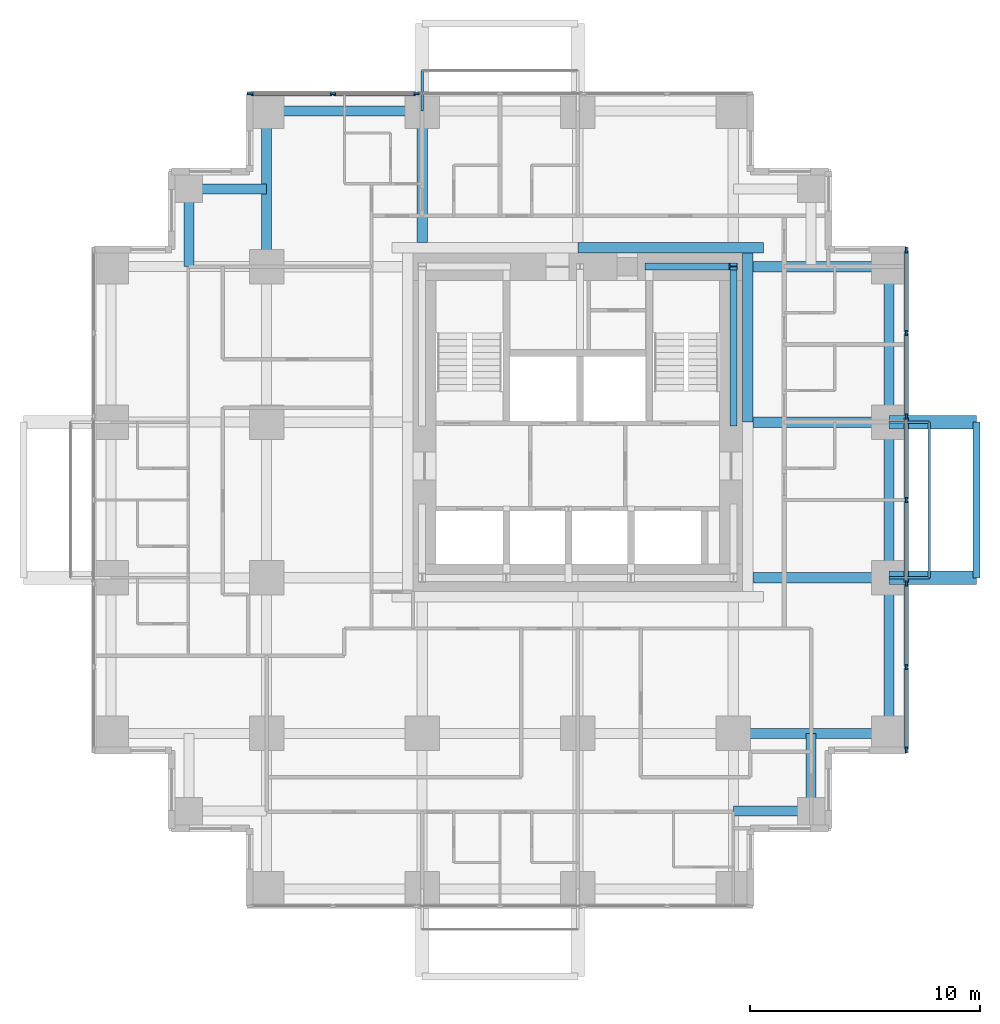
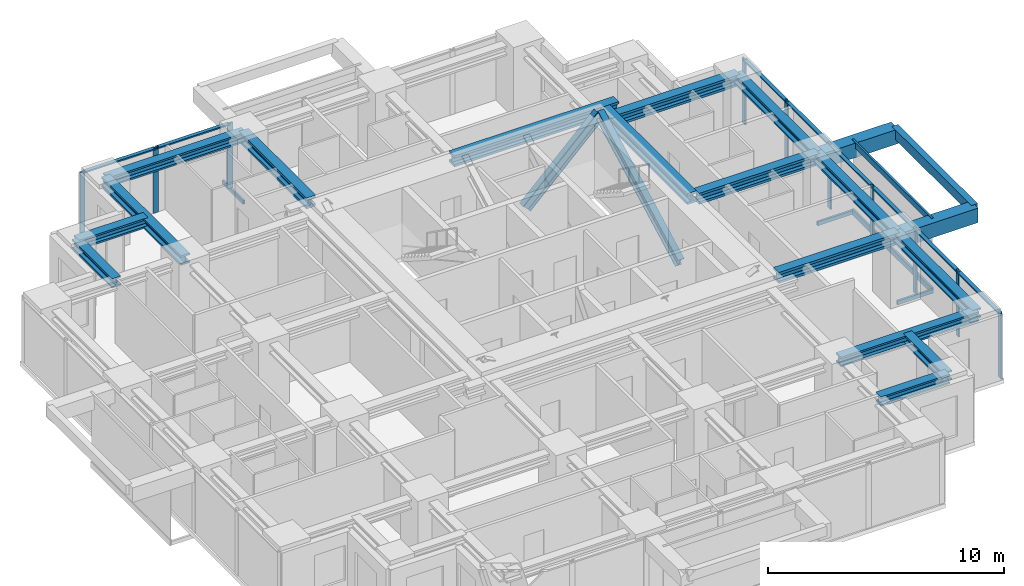
# One storey, part 3 of 10: 25 members, 19 beams, 2 elements without a shape of their own.
"""IFC4 building model written with IfcOpenShell, lengths in metres."""

from ifc_helpers import new_model, si_unit, direction, frame, origin, origin_2d, place, context, subcontext, project, spatial, rectangle, hollow_rectangle, i_section, extrude, material, material_profile, profile_set, type_object, element, aggregate, save


model = new_model("IFC4")

# Units and contexts
model_context = context("Model", 3, precision=1e-05, world=origin(), true_north=direction((0.0, 1.0)))
body_context = subcontext(model_context, "Body", "Model", "MODEL_VIEW")
ifc_project = project(units=[si_unit("LENGTHUNIT", "METRE"), si_unit("AREAUNIT", "SQUARE_METRE"), si_unit("VOLUMEUNIT", "CUBIC_METRE"), si_unit("PLANEANGLEUNIT", "RADIAN"), si_unit("MASSUNIT", "GRAM", prefix="KILO")], contexts=[model_context])

# Site, building, storey
site_placement = place(None, origin())
site = spatial("IfcSite", under=ifc_project, at=site_placement, CompositionType="ELEMENT")
building_placement = place(site_placement, origin())
building = spatial("IfcBuilding", under=site, at=building_placement, Name="Nyansa Garden Tower", CompositionType="ELEMENT")
storey_placement = place(building_placement, frame((0.0, 0.0, 167.39990234375)))
storey = spatial("IfcBuildingStorey", under=building, at=storey_placement, Name="L45", CompositionType="ELEMENT", Elevation=167.39990234375)

# Beams
ifc_material_1 = material(Name="Concrete C70/85", Category="concrete")
ifc_material_profile_1 = material_profile(ifc_material_1, rectangle(XDim=0.60009765625, YDim=0.75, at=origin_2d()), Name="RC 600x750")
ifc_profile_set_1 = profile_set([ifc_material_profile_1], Name="Concrete C70/85")
beam_type_1 = type_object("IfcBeamType", Name="Balcony cantilever beam CB1 RC 600x750", PredefinedType="BEAM", material=ifc_profile_set_1)
for number, where, z_axis, x_axis, name in (
    (1, (33.75, 13.5, 2.985107421875), (1.0, 0.0, 0.0), (0.0, 1.0, 0.0), "Balcony cantilever beam L46"),
    (2, (33.75, 20.25, 2.985107421875), (1.0, 0.0, 0.0), (0.0, 1.0, 0.0), "Balcony cantilever beam L46"),
):
    element("IfcBeam", number, at=place(storey_placement, frame(where, z_axis=z_axis, x_axis=x_axis)), inside=storey, type_object=beam_type_1, Name=name, PredefinedType="BEAM", context=body_context, shape_type="SweptSolid", body=[
        extrude(rectangle(XDim=0.60009765625, YDim=0.75, at=origin_2d()), origin(), (0.0, 0.0, 1.0), 3.800048828125),
    ])
ifc_material_2 = material(Name="Concrete C70/85", Category="concrete")
ifc_material_profile_2 = material_profile(ifc_material_2, rectangle(XDim=0.300048828125, YDim=0.5, at=origin_2d()), Name="RC 300x500")
ifc_profile_set_2 = profile_set([ifc_material_profile_2], Name="Concrete C70/85")
beam_type_2 = type_object("IfcBeamType", Name="Balcony edge beam BE1 RC 300x500", PredefinedType="BEAM", material=ifc_profile_set_2)
beam_1_placement = place(storey_placement, frame((37.550048828125, 13.5, 3.110107421875), z_axis=(0.0, 1.0, 0.0), x_axis=(-1.0, 0.0, 0.0)))
element("IfcBeam", 3, at=beam_1_placement, inside=storey, type_object=beam_type_2, Name="Balcony edge beam L46", PredefinedType="BEAM", context=body_context, shape_type="SweptSolid", body=[
    extrude(rectangle(XDim=0.300048828125, YDim=0.5, at=origin_2d()), origin(), (0.0, 0.0, 1.0), 6.75),
])

# Curtain wall, members
ifc_material_3 = material(Name="Black anodised aluminium, dark tinted double glazing", Category="aluminium")
curtain_wall_type = type_object("IfcCurtainWallType", Name="Inner skin curtain wall ISW-C", PredefinedType="USERDEFINED", material=ifc_material_3)
curtain_wall_1_placement = place(storey_placement, origin())
curtain_wall_1 = element("IfcCurtainWall", 4, at=curtain_wall_1_placement, inside=storey, type_object=curtain_wall_type, Name="Inner skin curtain wall L45 E", ObjectType="UNITISED CURTAIN WALL", PredefinedType="USERDEFINED")
ifc_material_4 = material(Name="Black anodised aluminium", Category="aluminium")
ifc_material_profile_3 = material_profile(ifc_material_4, rectangle(XDim=0.070068359375, YDim=0.25, at=origin_2d()), Name="Mullion 250x70")
ifc_profile_set_3 = profile_set([ifc_material_profile_3], Name="Black anodised aluminium")
member_type_1 = type_object("IfcMemberType", Name="Mullion ISW-C 250x70", PredefinedType="MULLION", material=ifc_profile_set_3)
member_1_placement = place(storey_placement, frame((34.5, 6.034912109375, 0.0), z_axis=(0.0, 0.0, 1.0), x_axis=(-1.0, 0.0, 0.0)))
member_1 = element("IfcMember", 5, at=member_1_placement, type_object=member_type_1, Name="ISW-C mullion 1", PredefinedType="MULLION", context=body_context, shape_type="SweptSolid", body=[
    extrude(rectangle(XDim=0.070068359375, YDim=0.25, at=origin_2d()), origin(), (0.0, 0.0, 1.0), 3.375),
])
member_2_placement = place(storey_placement, frame((34.5, 9.625, 0.0), z_axis=(0.0, 0.0, 1.0), x_axis=(-1.0, 0.0, 0.0)))
member_2 = element("IfcMember", 6, at=member_2_placement, type_object=member_type_1, Name="ISW-C mullion 2", PredefinedType="MULLION", context=body_context, shape_type="SweptSolid", body=[
    extrude(rectangle(XDim=0.070068359375, YDim=0.25, at=origin_2d()), origin(), (0.0, 0.0, 1.0), 3.375),
])
member_3_placement = place(storey_placement, frame((34.5, 13.25, 0.0), z_axis=(0.0, 0.0, 1.0), x_axis=(-1.0, 0.0, 0.0)))
member_3 = element("IfcMember", 7, at=member_3_placement, type_object=member_type_1, Name="ISW-C mullion 3", PredefinedType="MULLION", context=body_context, shape_type="SweptSolid", body=[
    extrude(rectangle(XDim=0.070068359375, YDim=0.25, at=origin_2d()), origin(), (0.0, 0.0, 1.0), 3.375),
])
member_4_placement = place(storey_placement, frame((34.5, 16.875, 0.0), z_axis=(0.0, 0.0, 1.0), x_axis=(-1.0, 0.0, 0.0)))
member_4 = element("IfcMember", 8, at=member_4_placement, type_object=member_type_1, Name="ISW-C mullion 4", PredefinedType="MULLION", context=body_context, shape_type="SweptSolid", body=[
    extrude(rectangle(XDim=0.070068359375, YDim=0.25, at=origin_2d()), origin(), (0.0, 0.0, 1.0), 3.375),
])
member_5_placement = place(storey_placement, frame((34.5, 20.5, 0.0), z_axis=(0.0, 0.0, 1.0), x_axis=(-1.0, 0.0, 0.0)))
member_5 = element("IfcMember", 9, at=member_5_placement, type_object=member_type_1, Name="ISW-C mullion 5", PredefinedType="MULLION", context=body_context, shape_type="SweptSolid", body=[
    extrude(rectangle(XDim=0.070068359375, YDim=0.25, at=origin_2d()), origin(), (0.0, 0.0, 1.0), 3.375),
])
member_6_placement = place(storey_placement, frame((34.5, 24.125, 0.0), z_axis=(0.0, 0.0, 1.0), x_axis=(-1.0, 0.0, 0.0)))
member_6 = element("IfcMember", 10, at=member_6_placement, type_object=member_type_1, Name="ISW-C mullion 6", PredefinedType="MULLION", context=body_context, shape_type="SweptSolid", body=[
    extrude(rectangle(XDim=0.070068359375, YDim=0.25, at=origin_2d()), origin(), (0.0, 0.0, 1.0), 3.375),
])
member_7_placement = place(storey_placement, frame((34.5, 27.715087890625, 0.0), z_axis=(0.0, 0.0, 1.0), x_axis=(-1.0, 0.0, 0.0)))
member_7 = element("IfcMember", 11, at=member_7_placement, type_object=member_type_1, Name="ISW-C mullion 7", PredefinedType="MULLION", context=body_context, shape_type="SweptSolid", body=[
    extrude(rectangle(XDim=0.070068359375, YDim=0.25, at=origin_2d()), origin(), (0.0, 0.0, 1.0), 3.375),
])

curtain_wall_2_placement = place(storey_placement, origin())
curtain_wall_2 = element("IfcCurtainWall", 12, at=curtain_wall_2_placement, inside=storey, type_object=curtain_wall_type, Name="Inner skin curtain wall L45 N", ObjectType="UNITISED CURTAIN WALL", PredefinedType="USERDEFINED")
member_8_placement = place(storey_placement, frame((13.25, 34.5, 0.0), z_axis=(0.0, 0.0, 1.0), x_axis=(0.0, -1.0, 0.0)))
member_8 = element("IfcMember", 13, at=member_8_placement, type_object=member_type_1, Name="ISW-C mullion 5", PredefinedType="MULLION", context=body_context, shape_type="SweptSolid", body=[
    extrude(rectangle(XDim=0.070068359375, YDim=0.25, at=origin_2d()), origin(), (0.0, 0.0, 1.0), 3.375),
])
member_9_placement = place(storey_placement, frame((9.625, 34.5, 0.0), z_axis=(0.0, 0.0, 1.0), x_axis=(0.0, -1.0, 0.0)))
member_9 = element("IfcMember", 14, at=member_9_placement, type_object=member_type_1, Name="ISW-C mullion 6", PredefinedType="MULLION", context=body_context, shape_type="SweptSolid", body=[
    extrude(rectangle(XDim=0.070068359375, YDim=0.25, at=origin_2d()), origin(), (0.0, 0.0, 1.0), 3.375),
])
member_10_placement = place(storey_placement, frame((6.034912109375, 34.5, 0.0), z_axis=(0.0, 0.0, 1.0), x_axis=(0.0, -1.0, 0.0)))
member_10 = element("IfcMember", 15, at=member_10_placement, type_object=member_type_1, Name="ISW-C mullion 7", PredefinedType="MULLION", context=body_context, shape_type="SweptSolid", body=[
    extrude(rectangle(XDim=0.070068359375, YDim=0.25, at=origin_2d()), origin(), (0.0, 0.0, 1.0), 3.375),
])

# Members
ifc_material_5 = material(Name="Steel S355, black powder coated", Category="steel")
ifc_material_profile_4 = material_profile(ifc_material_5, hollow_rectangle(XDim=0.10009765625, YDim=0.199951171875, WallThickness=0.008056640625, at=origin_2d()), Name="RHS 200x100x8")
ifc_profile_set_4 = profile_set([ifc_material_profile_4], Name="Steel S355, black powder coated")
member_type_2 = type_object("IfcMemberType", Name="Outer skin bracket arm RHS 200x100x8", PredefinedType="USERDEFINED", material=ifc_profile_set_4)
for number, where, z_axis, x_axis, name in (
    (16, (33.75, 13.5, -0.375), (1.0, 0.0, 0.0), (0.0, 1.0, 0.0), "Outer skin bracket arm"),
    (17, (33.75, 20.25, -0.375), (1.0, 0.0, 0.0), (0.0, 1.0, 0.0), "Outer skin bracket arm"),
    (18, (13.5, 33.75, -0.375), (0.0, 1.0, 0.0), (-1.0, 0.0, 0.0), "Outer skin bracket arm"),
):
    element("IfcMember", number, at=place(storey_placement, frame(where, z_axis=z_axis, x_axis=x_axis)), inside=storey, type_object=member_type_2, Name=name, ObjectType="OUTER SKIN BRACKET", PredefinedType="USERDEFINED", context=body_context, shape_type="SweptSolid", body=[
        extrude(hollow_rectangle(XDim=0.10009765625, YDim=0.199951171875, WallThickness=0.008056640625, at=origin_2d()), origin(), (0.0, 0.0, 1.0), 1.75),
    ])
ifc_material_6 = material(Name="Steel S355, black powder coated", Category="steel")
ifc_material_profile_5 = material_profile(ifc_material_6, hollow_rectangle(XDim=0.10009765625, YDim=0.300048828125, WallThickness=0.010009765625, at=origin_2d()), Name="RHS 300x100x10")
ifc_profile_set_5 = profile_set([ifc_material_profile_5], Name="Steel S355, black powder coated")
member_type_3 = type_object("IfcMemberType", Name="Outer skin rail RHS 300x100x10", PredefinedType="USERDEFINED", material=ifc_profile_set_5)
for number, where, z_axis, x_axis, name in (
    (19, (35.5, 13.5, -0.375), (0.0, 1.0, 0.0), (-1.0, 0.0, 0.0), "Outer skin rail L45"),
    (20, (35.5, 13.5, 3.22509765625), (0.0, 1.0, 0.0), (-1.0, 0.0, 0.0), "Outer skin rail L45 head"),
):
    element("IfcMember", number, at=place(storey_placement, frame(where, z_axis=z_axis, x_axis=x_axis)), inside=storey, type_object=member_type_3, Name=name, ObjectType="OUTER SKIN RAIL", PredefinedType="USERDEFINED", context=body_context, shape_type="SweptSolid", body=[
        extrude(hollow_rectangle(XDim=0.10009765625, YDim=0.300048828125, WallThickness=0.010009765625, at=origin_2d()), origin(), (0.0, 0.0, 1.0), 6.75),
    ])
ifc_material_7 = material(Name="Steel S355", Category="steel")
ifc_material_profile_6 = material_profile(ifc_material_7, i_section(OverallWidth=0.305908203125, OverallDepth=0.52392578125, WebThickness=0.02099609375, FlangeThickness=0.0400390625, FilletRadius=0.027099609375, at=origin_2d()), Name="HE 500 M")
ifc_profile_set_6 = profile_set([ifc_material_profile_6], Name="Steel S355")
member_type_4 = type_object("IfcMemberType", Name="Perimeter brace HE 500 M", PredefinedType="BRACE", material=ifc_profile_set_6)
member_11_placement = place(storey_placement, frame((23.35009765625, 27.0, 0.0), z_axis=(0.711947531702, 0.0, 0.702232662373), x_axis=(0.0, 1.0, 0.0)))
element("IfcMember", 21, at=member_11_placement, inside=storey, type_object=member_type_4, Name="Core brace CN4 L45", PredefinedType="BRACE", context=body_context, shape_type="SweptSolid", body=[
    extrude(i_section(OverallWidth=0.305908203125, OverallDepth=0.52392578125, WebThickness=0.02099609375, FlangeThickness=0.0400390625, FilletRadius=0.027099609375, at=origin_2d()), origin(), (0.0, 0.0, 1.0), 5.126708984375),
])
member_12_placement = place(storey_placement, frame((27.0, 20.199951171875, 0.0), z_axis=(0.0, 0.883784057226, 0.467895009796), x_axis=(-1.0, 0.0, 0.0)))
element("IfcMember", 22, at=member_12_placement, inside=storey, type_object=member_type_4, Name="Core brace CE8 L45", PredefinedType="BRACE", context=body_context, shape_type="SweptSolid", body=[
    extrude(i_section(OverallWidth=0.305908203125, OverallDepth=0.52392578125, WebThickness=0.02099609375, FlangeThickness=0.0400390625, FilletRadius=0.027099609375, at=origin_2d()), origin(), (0.0, 0.0, 1.0), 7.6943359375),
])

# Beams
ifc_material_8 = material(Name="Steel S355", Category="steel")
ifc_material_profile_7 = material_profile(ifc_material_8, i_section(OverallWidth=0.431884765625, OverallDepth=0.498046875, WebThickness=0.0556640625, FlangeThickness=0.0888671875, FilletRadius=0.014892578125, at=origin_2d()), Name="HD 400x744")
ifc_profile_set_7 = profile_set([ifc_material_profile_7], Name="Steel S355")
beam_type_3 = type_object("IfcBeamType", Name="Steel beam SBC1-744 HD 400x744", PredefinedType="BEAM", material=ifc_profile_set_7)
for number, where, z_axis, x_axis, name in (
    (23, (6.75, 27.0, 3.1259765625), (0.0, 1.0, 0.0), (-1.0, 0.0, 0.0), "Steel beam 3/H-3/J L46"),
    (24, (27.0, 6.75, 3.1259765625), (1.0, 0.0, 0.0), (0.0, 1.0, 0.0), "Steel beam 6/E-7/E L46"),
):
    element("IfcBeam", number, at=place(storey_placement, frame(where, z_axis=z_axis, x_axis=x_axis)), inside=storey, type_object=beam_type_3, Name=name, PredefinedType="BEAM", context=body_context, shape_type="SweptSolid", body=[
        extrude(i_section(OverallWidth=0.431884765625, OverallDepth=0.498046875, WebThickness=0.0556640625, FlangeThickness=0.0888671875, FilletRadius=0.014892578125, at=origin_2d()), origin(), (0.0, 0.0, 1.0), 6.75),
    ])
ifc_material_9 = material(Name="Steel S355", Category="steel")
ifc_material_profile_8 = material_profile(ifc_material_9, i_section(OverallWidth=0.4541015625, OverallDepth=0.569091796875, WebThickness=0.077880859375, FlangeThickness=0.125, FilletRadius=0.014892578125, at=origin_2d()), Name="HD 400x1086")
ifc_profile_set_8 = profile_set([ifc_material_profile_8], Name="Steel S355")
beam_type_4 = type_object("IfcBeamType", Name="Steel beam SCL-1086 HD 400x1086", PredefinedType="BEAM", material=ifc_profile_set_8)
beam_2_placement = place(storey_placement, frame((13.5, 28.050048828125, 3.090576171875), z_axis=(0.0, 1.0, 0.0), x_axis=(-1.0, 0.0, 0.0)))
element("IfcBeam", 25, at=beam_2_placement, inside=storey, type_object=beam_type_4, Name="Steel beam 4/28.050-4/J L46", PredefinedType="BEAM", context=body_context, shape_type="SweptSolid", body=[
    extrude(i_section(OverallWidth=0.4541015625, OverallDepth=0.569091796875, WebThickness=0.077880859375, FlangeThickness=0.125, FilletRadius=0.014892578125, at=origin_2d()), origin(), (0.0, 0.0, 1.0), 5.699951171875),
])
for number, where, z_axis, x_axis, name in (
    (26, (27.85009765625, 13.5, 3.090576171875), (1.0, 0.0, 0.0), (0.0, 1.0, 0.0), "Steel beam 27.850/F-7/F L46"),
    (27, (27.85009765625, 20.25, 3.090576171875), (1.0, 0.0, 0.0), (0.0, 1.0, 0.0), "Steel beam 27.850/G-7/G L46"),
    (28, (27.85009765625, 27.0, 3.090576171875), (1.0, 0.0, 0.0), (0.0, 1.0, 0.0), "Steel beam 27.850/H-7/H L46"),
):
    element("IfcBeam", number, at=place(storey_placement, frame(where, z_axis=z_axis, x_axis=x_axis)), inside=storey, type_object=beam_type_4, Name=name, PredefinedType="BEAM", context=body_context, shape_type="SweptSolid", body=[
        extrude(i_section(OverallWidth=0.4541015625, OverallDepth=0.569091796875, WebThickness=0.077880859375, FlangeThickness=0.125, FilletRadius=0.014892578125, at=origin_2d()), origin(), (0.0, 0.0, 1.0), 5.89990234375),
    ])
beam_3_placement = place(storey_placement, frame((27.626953125, 20.25, 3.090576171875), z_axis=(0.0, 1.0, 0.0), x_axis=(-1.0, 0.0, 0.0)))
element("IfcBeam", 29, at=beam_3_placement, inside=storey, type_object=beam_type_4, Name="Steel core ledger beam E.2 L46", PredefinedType="BEAM", context=body_context, shape_type="SweptSolid", body=[
    extrude(i_section(OverallWidth=0.4541015625, OverallDepth=0.569091796875, WebThickness=0.077880859375, FlangeThickness=0.125, FilletRadius=0.014892578125, at=origin_2d()), origin(), (0.0, 0.0, 1.0), 7.35009765625),
])
beam_4_placement = place(storey_placement, frame((28.300048828125, 27.826904296875, 3.090576171875), z_axis=(-1.0, 0.0, 0.0), x_axis=(0.0, -1.0, 0.0)))
element("IfcBeam", 30, at=beam_4_placement, inside=storey, type_object=beam_type_4, Name="Steel core ledger beam N.1 L46", PredefinedType="BEAM", context=body_context, shape_type="SweptSolid", body=[
    extrude(i_section(OverallWidth=0.4541015625, OverallDepth=0.569091796875, WebThickness=0.077880859375, FlangeThickness=0.125, FilletRadius=0.014892578125, at=origin_2d()), origin(), (0.0, 0.0, 1.0), 8.050048828125),
])
ifc_material_10 = material(Name="Steel S355", Category="steel")
ifc_material_profile_9 = material_profile(ifc_material_10, i_section(OverallWidth=0.431884765625, OverallDepth=0.498046875, WebThickness=0.0556640625, FlangeThickness=0.0888671875, FilletRadius=0.014892578125, at=origin_2d()), Name="HD 400x744")
ifc_profile_set_9 = profile_set([ifc_material_profile_9], Name="Steel S355")
beam_type_5 = type_object("IfcBeamType", Name="Steel beam SEBC-744 HD 400x744", PredefinedType="BEAM", material=ifc_profile_set_9)
for number, where, z_axis, x_axis, name in (
    (31, (6.75, 33.75, 3.1259765625), (1.0, 0.0, 0.0), (0.0, 1.0, 0.0), "Steel edge beam 3/J-4/J L46"),
    (32, (33.75, 6.75, 3.1259765625), (0.0, 1.0, 0.0), (-1.0, 0.0, 0.0), "Steel edge beam 7/E-7/F L46"),
    (33, (33.75, 13.5, 3.1259765625), (0.0, 1.0, 0.0), (-1.0, 0.0, 0.0), "Steel edge beam 7/F-7/G L46"),
    (34, (33.75, 20.25, 3.1259765625), (0.0, 1.0, 0.0), (-1.0, 0.0, 0.0), "Steel edge beam 7/G-7/H L46"),
):
    element("IfcBeam", number, at=place(storey_placement, frame(where, z_axis=z_axis, x_axis=x_axis)), inside=storey, type_object=beam_type_5, Name=name, PredefinedType="BEAM", context=body_context, shape_type="SweptSolid", body=[
        extrude(i_section(OverallWidth=0.431884765625, OverallDepth=0.498046875, WebThickness=0.0556640625, FlangeThickness=0.0888671875, FilletRadius=0.014892578125, at=origin_2d()), origin(), (0.0, 0.0, 1.0), 6.75),
    ])
ifc_material_11 = material(Name="Steel S355", Category="steel")
ifc_material_profile_10 = material_profile(ifc_material_11, i_section(OverallWidth=0.431884765625, OverallDepth=0.498046875, WebThickness=0.0556640625, FlangeThickness=0.0888671875, FilletRadius=0.014892578125, at=origin_2d()), Name="HD 400x744")
ifc_profile_set_10 = profile_set([ifc_material_profile_10], Name="Steel S355")
beam_type_6 = type_object("IfcBeamType", Name="Steel beam SSB1-744 HD 400x744", PredefinedType="BEAM", material=ifc_profile_set_10)
for number, where, z_axis, x_axis, name in (
    (35, (30.375, 3.375, 3.1259765625), (0.0, 1.0, 0.0), (-1.0, 0.0, 0.0), "Steel step beam 30.375/3.375 L46"),
    (36, (30.375, 3.375, 3.1259765625), (-1.0, 0.0, 0.0), (0.0, -1.0, 0.0), "Steel step beam 30.375/3.375 L46"),
    (37, (3.375, 30.375, 3.1259765625), (0.0, -1.0, 0.0), (1.0, 0.0, 0.0), "Steel step beam 3.375/30.375 L46"),
    (38, (3.375, 30.375, 3.1259765625), (1.0, 0.0, 0.0), (0.0, 1.0, 0.0), "Steel step beam 3.375/30.375 L46"),
):
    element("IfcBeam", number, at=place(storey_placement, frame(where, z_axis=z_axis, x_axis=x_axis)), inside=storey, type_object=beam_type_6, Name=name, PredefinedType="BEAM", context=body_context, shape_type="SweptSolid", body=[
        extrude(i_section(OverallWidth=0.431884765625, OverallDepth=0.498046875, WebThickness=0.0556640625, FlangeThickness=0.0888671875, FilletRadius=0.014892578125, at=origin_2d()), origin(), (0.0, 0.0, 1.0), 3.375),
    ])

# Member
ifc_material_12 = material(Name="Black anodised aluminium", Category="aluminium")
ifc_material_profile_11 = material_profile(ifc_material_12, rectangle(XDim=0.179931640625, YDim=0.070068359375, at=origin_2d()), Name="Transom 180x70")
ifc_profile_set_11 = profile_set([ifc_material_profile_11], Name="Black anodised aluminium")
member_type_5 = type_object("IfcMemberType", Name="Transom ISW-C 180x70", PredefinedType="USERDEFINED", material=ifc_profile_set_11)
member_13_placement = place(storey_placement, frame((34.5, 6.070068359375, 3.340087890625), z_axis=(0.0, 1.0, 0.0), x_axis=(-1.0, 0.0, 0.0)))
member_13 = element("IfcMember", 39, at=member_13_placement, type_object=member_type_5, Name="ISW-C transom 1", ObjectType="TRANSOM", PredefinedType="USERDEFINED", context=body_context, shape_type="SweptSolid", body=[
    extrude(rectangle(XDim=0.179931640625, YDim=0.070068359375, at=origin_2d()), origin(), (0.0, 0.0, 1.0), 3.52001953125),
])

member_14_placement = place(storey_placement, frame((34.5, 9.659912109375, 3.340087890625), z_axis=(0.0, 1.0, 0.0), x_axis=(-1.0, 0.0, 0.0)))
member_14 = element("IfcMember", 40, at=member_14_placement, type_object=member_type_5, Name="ISW-C transom 2", ObjectType="TRANSOM", PredefinedType="USERDEFINED", context=body_context, shape_type="SweptSolid", body=[
    extrude(rectangle(XDim=0.179931640625, YDim=0.070068359375, at=origin_2d()), origin(), (0.0, 0.0, 1.0), 3.55517578125),
])

member_15_placement = place(storey_placement, frame((34.5, 13.284912109375, 3.340087890625), z_axis=(0.0, 1.0, 0.0), x_axis=(-1.0, 0.0, 0.0)))
member_15 = element("IfcMember", 41, at=member_15_placement, type_object=member_type_5, Name="ISW-C transom 3", ObjectType="TRANSOM", PredefinedType="USERDEFINED", context=body_context, shape_type="SweptSolid", body=[
    extrude(rectangle(XDim=0.179931640625, YDim=0.070068359375, at=origin_2d()), origin(), (0.0, 0.0, 1.0), 3.55517578125),
])

member_16_placement = place(storey_placement, frame((34.5, 16.909912109375, 3.340087890625), z_axis=(0.0, 1.0, 0.0), x_axis=(-1.0, 0.0, 0.0)))
member_16 = element("IfcMember", 42, at=member_16_placement, type_object=member_type_5, Name="ISW-C transom 4", ObjectType="TRANSOM", PredefinedType="USERDEFINED", context=body_context, shape_type="SweptSolid", body=[
    extrude(rectangle(XDim=0.179931640625, YDim=0.070068359375, at=origin_2d()), origin(), (0.0, 0.0, 1.0), 3.55517578125),
])

member_17_placement = place(storey_placement, frame((34.5, 20.534912109375, 3.340087890625), z_axis=(0.0, 1.0, 0.0), x_axis=(-1.0, 0.0, 0.0)))
member_17 = element("IfcMember", 43, at=member_17_placement, type_object=member_type_5, Name="ISW-C transom 5", ObjectType="TRANSOM", PredefinedType="USERDEFINED", context=body_context, shape_type="SweptSolid", body=[
    extrude(rectangle(XDim=0.179931640625, YDim=0.070068359375, at=origin_2d()), origin(), (0.0, 0.0, 1.0), 3.55517578125),
])

member_18_placement = place(storey_placement, frame((34.5, 24.159912109375, 3.340087890625), z_axis=(0.0, 1.0, 0.0), x_axis=(-1.0, 0.0, 0.0)))
member_18 = element("IfcMember", 44, at=member_18_placement, type_object=member_type_5, Name="ISW-C transom 6", ObjectType="TRANSOM", PredefinedType="USERDEFINED", context=body_context, shape_type="SweptSolid", body=[
    extrude(rectangle(XDim=0.179931640625, YDim=0.070068359375, at=origin_2d()), origin(), (0.0, 0.0, 1.0), 3.52001953125),
])

aggregate(curtain_wall_1, [member_1, member_2, member_3, member_4, member_5, member_6, member_7, member_13, member_14, member_15, member_16, member_17, member_18])

member_19_placement = place(storey_placement, frame((13.215087890625, 34.5, 3.340087890625), z_axis=(-1.0, 0.0, 0.0), x_axis=(0.0, -1.0, 0.0)))
member_19 = element("IfcMember", 45, at=member_19_placement, type_object=member_type_5, Name="ISW-C transom 5", ObjectType="TRANSOM", PredefinedType="USERDEFINED", context=body_context, shape_type="SweptSolid", body=[
    extrude(rectangle(XDim=0.179931640625, YDim=0.070068359375, at=origin_2d()), origin(), (0.0, 0.0, 1.0), 3.55517578125),
])

member_20_placement = place(storey_placement, frame((9.590087890625, 34.5, 3.340087890625), z_axis=(-1.0, 0.0, 0.0), x_axis=(0.0, -1.0, 0.0)))
member_20 = element("IfcMember", 46, at=member_20_placement, type_object=member_type_5, Name="ISW-C transom 6", ObjectType="TRANSOM", PredefinedType="USERDEFINED", context=body_context, shape_type="SweptSolid", body=[
    extrude(rectangle(XDim=0.179931640625, YDim=0.070068359375, at=origin_2d()), origin(), (0.0, 0.0, 1.0), 3.52001953125),
])

aggregate(curtain_wall_2, [member_8, member_9, member_10, member_19, member_20])

save(model, "model.ifc")
